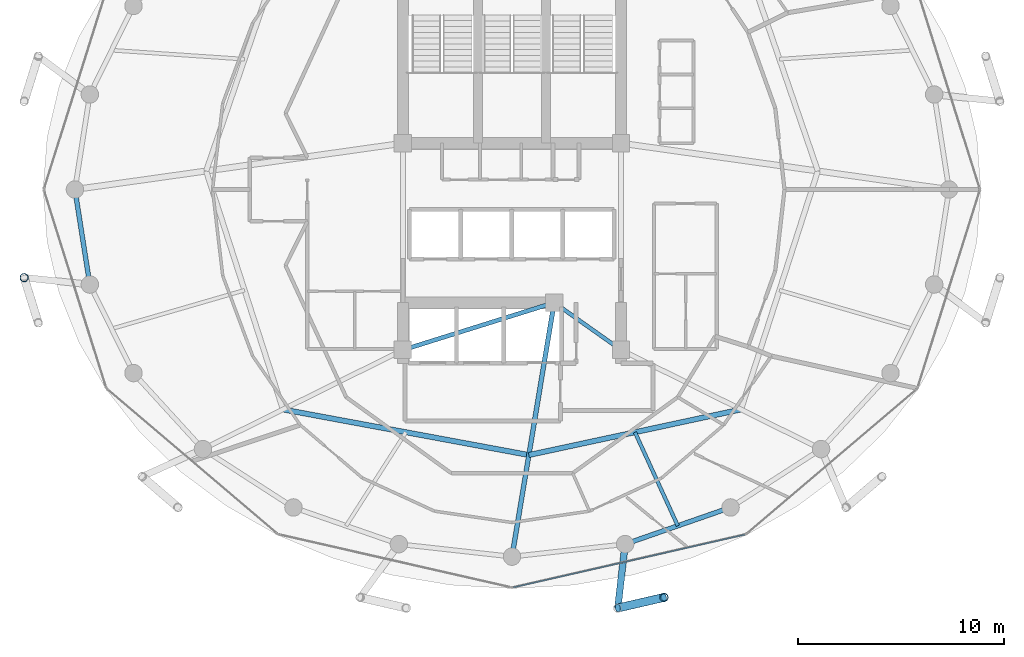
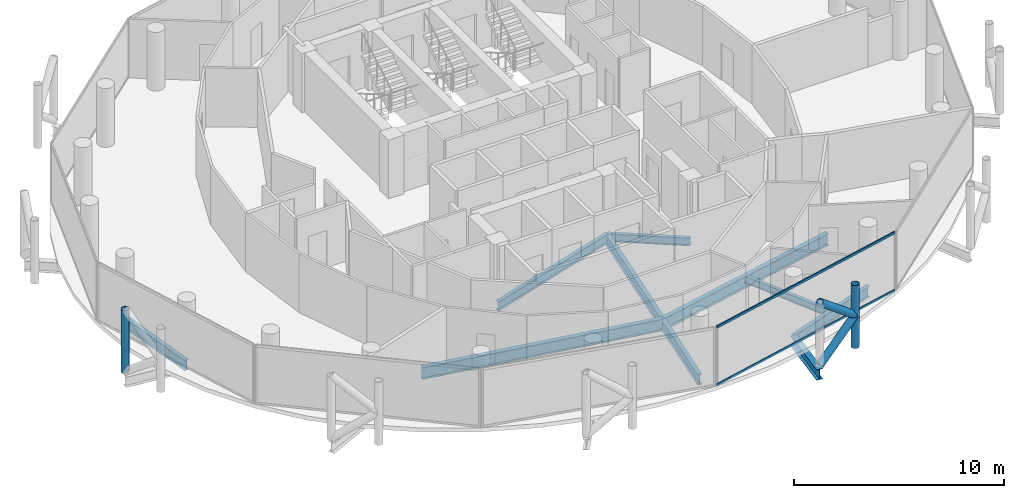
# One storey, part 6 of 27: 9 beams, 6 members, 1 element without a shape of its own.
"""IFC4 building model written with IfcOpenShell, lengths in metres."""

from ifc_helpers import new_model, si_unit, direction, frame, origin, origin_2d, place, context, subcontext, project, spatial, hollow_rectangle, hollow_circle, i_section, extrude, material, layer, layer_set, material_profile, profile_set, type_object, element, aggregate, save


model = new_model("IFC4")

# Units and contexts
model_context = context("Model", 3, precision=1e-05, world=origin(), true_north=direction((0.0, 1.0)))
body_context = subcontext(model_context, "Body", "Model", "MODEL_VIEW")
ifc_project = project(units=[si_unit("LENGTHUNIT", "METRE"), si_unit("AREAUNIT", "SQUARE_METRE"), si_unit("VOLUMEUNIT", "CUBIC_METRE"), si_unit("PLANEANGLEUNIT", "RADIAN"), si_unit("MASSUNIT", "GRAM", prefix="KILO")], contexts=[model_context])

# Site, building, storey
site_placement = place(None, origin())
site = spatial("IfcSite", under=ifc_project, at=site_placement, CompositionType="ELEMENT")
building_placement = place(site_placement, origin())
building = spatial("IfcBuilding", under=site, at=building_placement, Name="Nuhasar Tower", CompositionType="ELEMENT")
storey_placement = place(building_placement, frame((0.0, 0.0, 230.050048828125)))
storey = spatial("IfcBuildingStorey", under=building, at=storey_placement, Name="L56", CompositionType="ELEMENT", Elevation=230.050048828125)

# Beams
ifc_material_1 = material(Name="Steel S355", Category="steel")
ifc_material_profile_1 = material_profile(ifc_material_1, i_section(OverallWidth=0.25390625, OverallDepth=0.68408203125, WebThickness=0.012451171875, FlangeThickness=0.018798828125, at=origin_2d()), Name="W27X94")
ifc_profile_set_1 = profile_set([ifc_material_profile_1], Name="Steel S355")
beam_type_1 = type_object("IfcBeamType", Name="BM-INRING-W27X94", PredefinedType="BEAM", material=ifc_profile_set_1)
beam_1_placement = place(storey_placement, frame((27.864013671875, 16.10693359375, -0.58203125), z_axis=(0.983238439987, -0.182324354193, 0.0), x_axis=(0.182324354193, 0.983238439987, 0.0)))
element("IfcBeam", 1, at=beam_1_placement, inside=storey, type_object=beam_type_1, Name="L56 Inner Header Beam 01", PredefinedType="BEAM", context=body_context, shape_type="SweptSolid", body=[
    extrude(i_section(OverallWidth=0.25390625, OverallDepth=0.68408203125, WebThickness=0.012451171875, FlangeThickness=0.018798828125, at=origin_2d()), origin(), (0.0, 0.0, 1.0), 12.159912109375),
])
beam_2_placement = place(storey_placement, frame((39.820068359375, 13.889892578125, -0.58203125), z_axis=(0.977676275959, 0.210116870876, 0.0), x_axis=(-0.210116870876, 0.977676275959, 0.0)))
element("IfcBeam", 2, at=beam_2_placement, inside=storey, type_object=beam_type_1, Name="L56 Inner Header Beam 02", PredefinedType="BEAM", context=body_context, shape_type="SweptSolid", body=[
    extrude(i_section(OverallWidth=0.25390625, OverallDepth=0.68408203125, WebThickness=0.012451171875, FlangeThickness=0.018798828125, at=origin_2d()), origin(), (0.0, 0.0, 1.0), 10.551513671875),
])
ifc_material_profile_2 = material_profile(ifc_material_1, i_section(OverallWidth=0.177978515625, OverallDepth=0.406005859375, WebThickness=0.0078125, FlangeThickness=0.0126953125, at=origin_2d()), Name="W16X40")
ifc_profile_set_2 = profile_set([ifc_material_profile_2], Name="Steel S355")
beam_type_2 = type_object("IfcBeamType", Name="BM-JST-W16X40", PredefinedType="JOIST", material=ifc_profile_set_2)
beam_3_placement = place(storey_placement, frame((44.97802734375, 14.998046875, -0.443115234375), z_axis=(0.416562288184, -0.909107177434, 0.0), x_axis=(0.909107177434, 0.416562288184, 0.0)))
element("IfcBeam", 3, at=beam_3_placement, inside=storey, type_object=beam_type_2, Name="L56 Secondary Floor Joist 02", PredefinedType="JOIST", context=body_context, shape_type="SweptSolid", body=[
    extrude(i_section(OverallWidth=0.177978515625, OverallDepth=0.406005859375, WebThickness=0.0078125, FlangeThickness=0.0126953125, at=origin_2d()), origin(), (0.0, 0.0, 1.0), 5.0029296875),
])
ifc_material_profile_3 = material_profile(ifc_material_1, i_section(OverallWidth=0.18994140625, OverallDepth=0.45703125, WebThickness=0.009033203125, FlangeThickness=0.014404296875, at=origin_2d()), Name="W18X50")
ifc_profile_set_3 = profile_set([ifc_material_profile_3], Name="Steel S355")
beam_type_3 = type_object("IfcBeamType", Name="BM-RAD-W18X50", PredefinedType="BEAM", material=ifc_profile_set_3)
beam_4_placement = place(storey_placement, frame((41.050048828125, 21.300048828125, -0.468017578125), z_axis=(0.816265428953, -0.577677028708, 0.0), x_axis=(0.577677028708, 0.816265428953, 0.0)))
element("IfcBeam", 4, at=beam_4_placement, inside=storey, type_object=beam_type_3, Name="L56 Core Ring Girder 2", PredefinedType="BEAM", context=body_context, shape_type="SweptSolid", body=[
    extrude(i_section(OverallWidth=0.18994140625, OverallDepth=0.45703125, WebThickness=0.009033203125, FlangeThickness=0.014404296875, at=origin_2d()), origin(), (0.0, 0.0, 1.0), 3.9814453125),
])
ifc_material_profile_4 = material_profile(ifc_material_1, i_section(OverallWidth=0.208984375, OverallDepth=0.528076171875, WebThickness=0.009521484375, FlangeThickness=0.01318359375, at=origin_2d()), Name="W21X55")
ifc_profile_set_4 = profile_set([ifc_material_profile_4], Name="Steel S355")
beam_type_4 = type_object("IfcBeamType", Name="BM-RAD-W21X55", PredefinedType="BEAM", material=ifc_profile_set_4)
beam_5_placement = place(storey_placement, frame((33.699951171875, 19.0, -0.504150390625), z_axis=(0.954363709454, 0.298646798205, 0.0), x_axis=(-0.298646798205, 0.954363709454, 0.0)))
element("IfcBeam", 5, at=beam_5_placement, inside=storey, type_object=beam_type_4, Name="L56 Core Ring Girder 1", PredefinedType="BEAM", context=body_context, shape_type="SweptSolid", body=[
    extrude(i_section(OverallWidth=0.208984375, OverallDepth=0.528076171875, WebThickness=0.009521484375, FlangeThickness=0.01318359375, at=origin_2d()), origin(), (0.0, 0.0, 1.0), 7.70166015625),
])
ifc_material_profile_5 = material_profile(ifc_material_1, i_section(OverallWidth=0.22900390625, OverallDepth=0.612060546875, WebThickness=0.011962890625, FlangeThickness=0.01953125, at=origin_2d()), Name="W24X84")
ifc_profile_set_5 = profile_set([ifc_material_profile_5], Name="Steel S355")
beam_type_5 = type_object("IfcBeamType", Name="BM-RAD-W24X84", PredefinedType="BEAM", material=ifc_profile_set_5)
beam_6_placement = place(storey_placement, frame((41.050048828125, 21.300048828125, -0.546142578125), z_axis=(-0.163753822517, -0.98650123447, 0.0), x_axis=(0.98650123447, -0.163753822517, 0.0)))
element("IfcBeam", 6, at=beam_6_placement, inside=storey, type_object=beam_type_5, Name="L56 Radial Floor Girder 02", PredefinedType="BEAM", context=body_context, shape_type="SweptSolid", body=[
    extrude(i_section(OverallWidth=0.22900390625, OverallDepth=0.612060546875, WebThickness=0.011962890625, FlangeThickness=0.01953125, at=origin_2d()), origin(), (0.0, 0.0, 1.0), 12.51904296875),
])
ifc_material_profile_6 = material_profile(ifc_material_1, i_section(OverallWidth=0.22802734375, OverallDepth=0.60791015625, WebThickness=0.01123046875, FlangeThickness=0.017333984375, at=origin_2d()), Name="W24X76")
ifc_profile_set_6 = profile_set([ifc_material_profile_6], Name="Steel S355")
beam_type_6 = type_object("IfcBeamType", Name="BM-RING-W24X76", PredefinedType="SPANDREL", material=ifc_profile_set_6)
beam_7_placement = place(storey_placement, frame((17.75, 26.800048828125, -0.5439453125), z_axis=(0.154841886404, -0.987939264436, 0.0), x_axis=(0.987939264436, 0.154841886404, 0.0)))
element("IfcBeam", 7, at=beam_7_placement, inside=storey, type_object=beam_type_6, Name="L56 Perimeter Ring Spandrel 13", PredefinedType="SPANDREL", context=body_context, shape_type="SweptSolid", body=[
    extrude(i_section(OverallWidth=0.22802734375, OverallDepth=0.60791015625, WebThickness=0.01123046875, FlangeThickness=0.017333984375, at=origin_2d()), origin(), (0.0, 0.0, 1.0), 4.676513671875),
])
beam_8_placement = place(storey_placement, frame((44.5, 9.55810546875, -0.5439453125), z_axis=(0.944476764686, 0.328578211342, 0.0), x_axis=(-0.328578211342, 0.944476764686, 0.0)))
element("IfcBeam", 8, at=beam_8_placement, inside=storey, type_object=beam_type_6, Name="L56 Perimeter Ring Spandrel 20", PredefinedType="SPANDREL", context=body_context, shape_type="SweptSolid", body=[
    extrude(i_section(OverallWidth=0.22802734375, OverallDepth=0.60791015625, WebThickness=0.01123046875, FlangeThickness=0.017333984375, at=origin_2d()), origin(), (0.0, 0.0, 1.0), 5.42626953125),
])
ifc_material_profile_7 = material_profile(ifc_material_1, i_section(OverallWidth=0.323974609375, OverallDepth=0.611083984375, WebThickness=0.0126953125, FlangeThickness=0.01904296875, at=origin_2d()), Name="W24X104")
ifc_profile_set_7 = profile_set([ifc_material_profile_7], Name="Steel S355")
beam_type_7 = type_object("IfcBeamType", Name="BM-TIE-W24X104", PredefinedType="BEAM", material=ifc_profile_set_7)
beam_9_placement = place(storey_placement, frame((44.5, 9.55810546875, -0.545166015625), z_axis=(-0.114123371392, -0.993466585297, 0.0), x_axis=(0.993466585297, -0.114123371392, 0.0)))
element("IfcBeam", 9, at=beam_9_placement, inside=storey, type_object=beam_type_7, Name="L56 Exoskeleton Node Tie Beam 10", PredefinedType="BEAM", context=body_context, shape_type="SweptSolid", body=[
    extrude(i_section(OverallWidth=0.323974609375, OverallDepth=0.611083984375, WebThickness=0.0126953125, FlangeThickness=0.01904296875, at=origin_2d()), origin(), (0.0, 0.0, 1.0), 3.127685546875),
])

# Curtain wall, members
ifc_material_2 = material(Name="Aluminium 6063-T6", Category="aluminium")
ifc_layer = layer(ifc_material_2, 0.18994140625)
ifc_layer_set = layer_set([ifc_layer], Name="Aluminium 6063-T6")
curtain_wall_type = type_object("IfcCurtainWallType", Name="CW-Z3-RES", PredefinedType="NOTDEFINED", material=ifc_layer_set)
curtain_wall_placement = place(storey_placement, origin())
curtain_wall = element("IfcCurtainWall", 10, at=curtain_wall_placement, inside=storey, type_object=curtain_wall_type, Name="L56 Unitised Curtain Wall 10", PredefinedType="NOTDEFINED")
ifc_material_profile_8 = material_profile(ifc_material_2, hollow_rectangle(XDim=0.06494140625, YDim=0.139892578125, WallThickness=0.00439453125, at=origin_2d()), Name="CWT-4")
ifc_profile_set_8 = profile_set([ifc_material_profile_8], Name="Aluminium 6063-T6")
member_type_1 = type_object("IfcMemberType", Name="CW-TRN-S4", PredefinedType="USERDEFINED", material=ifc_profile_set_8)
member_1_placement = place(storey_placement, frame((39.0634765625, 7.454345703125, 0.032470703125), z_axis=(0.974989487479, 0.222250982686, 0.0), x_axis=(-0.222250982686, 0.974989487479, 0.0)))
member_1 = element("IfcMember", 11, at=member_1_placement, type_object=member_type_1, Name="CW-Z3 transom 1.1", ObjectType="TRANSOM", PredefinedType="USERDEFINED", context=body_context, shape_type="SweptSolid", body=[
    extrude(hollow_rectangle(XDim=0.06494140625, YDim=0.139892578125, WallThickness=0.00439453125, at=origin_2d()), origin(), (0.0, 0.0, 1.0), 11.541748046875),
])
member_2_placement = place(storey_placement, frame((39.0634765625, 7.454345703125, 3.37744140625), z_axis=(0.974989487479, 0.222250982686, 0.0), x_axis=(-0.222250982686, 0.974989487479, 0.0)))
member_2 = element("IfcMember", 12, at=member_2_placement, type_object=member_type_1, Name="CW-Z3 transom 1.2", ObjectType="TRANSOM", PredefinedType="USERDEFINED", context=body_context, shape_type="SweptSolid", body=[
    extrude(hollow_rectangle(XDim=0.06494140625, YDim=0.139892578125, WallThickness=0.00439453125, at=origin_2d()), origin(), (0.0, 0.0, 1.0), 11.541748046875),
])
aggregate(curtain_wall, [member_1, member_2])

# Members
ifc_material_3 = material(Name="Steel S460", Category="steel")
ifc_material_profile_9 = material_profile(ifc_material_3, hollow_circle(Radius=0.203125, WallThickness=0.01904296875, at=origin_2d()), Name="HSS406.4X19.1")
ifc_profile_set_9 = profile_set([ifc_material_profile_9], Name="Steel S460")
member_type_2 = type_object("IfcMemberType", Name="EXO-BRONZE-406", PredefinedType="BRACE", material=ifc_profile_set_9)
for number, where, z_axis, x_axis, name in (
    (13, (15.281982421875, 22.513916015625, 0.0), (0.0, 0.0, 1.0), (1.0, 0.0, 0.0), "L56 Exoskeleton Chord Column EC-07A"),
    (14, (46.384033203125, 6.967041015625, 0.0), (0.0, 0.0, 1.0), (1.0, 0.0, 0.0), "L56 Exoskeleton Chord Column EC-10B"),
):
    element("IfcMember", number, at=place(storey_placement, frame(where, z_axis=z_axis, x_axis=x_axis)), inside=storey, type_object=member_type_2, Name=name, PredefinedType="BRACE", context=body_context, shape_type="SweptSolid", body=[
        extrude(hollow_circle(Radius=0.203125, WallThickness=0.01904296875, at=origin_2d()), origin(), (0.0, 0.0, 1.0), 3.64990234375),
    ])
for number, where, z_axis, x_axis, name in (
    (15, (44.14306640625, 6.450927734375, 0.0), (0.76333158458, 0.175801609086, 0.621625841021), (-0.224433035437, 0.97448951385, 0.0), "L56 Bronze Diagrid Brace W1-10"),
    (16, (46.384033203125, 6.967041015625, 1.824951171875), (-0.76333158458, -0.175801609086, 0.621625841021), (0.224433035437, -0.97448951385, 0.0), "L56 Bronze Diagrid Brace W2-10"),
):
    element("IfcMember", number, at=place(storey_placement, frame(where, z_axis=z_axis, x_axis=x_axis)), inside=storey, type_object=member_type_2, Name=name, PredefinedType="BRACE", context=body_context, shape_type="SweptSolid", body=[
        extrude(hollow_circle(Radius=0.203125, WallThickness=0.01904296875, at=origin_2d()), origin(), (0.0, 0.0, 1.0), 2.935791015625),
    ])

save(model, "model.ifc")
